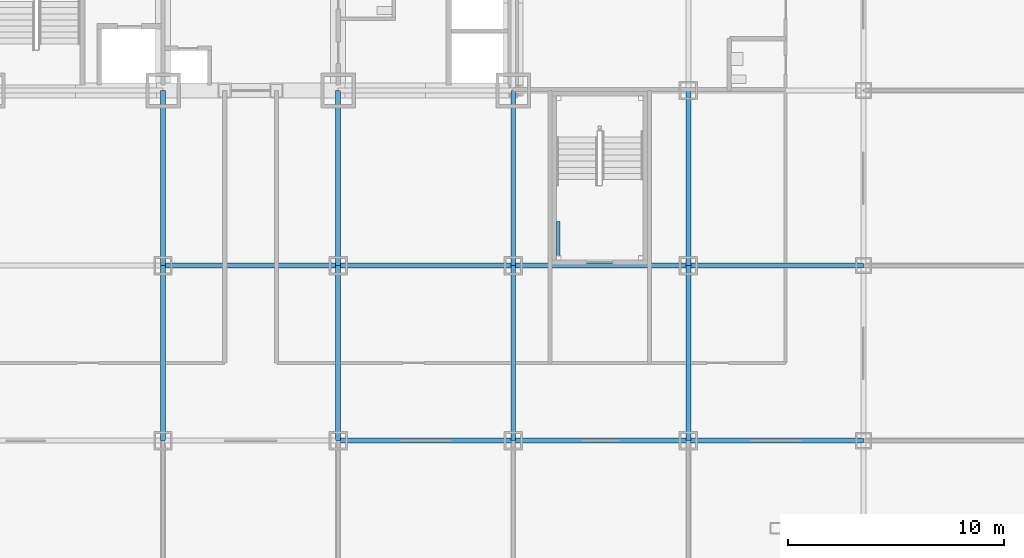
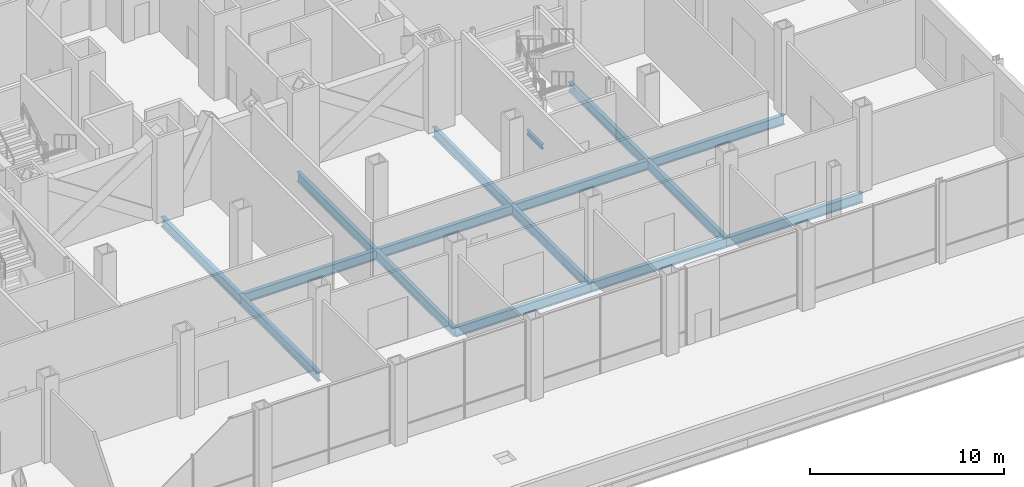
# One storey, part 12 of 29: 16 beams.
"""IFC4 building model written with IfcOpenShell, lengths in metres."""

from ifc_helpers import new_model, si_unit, direction, frame, origin, origin_2d, place, context, subcontext, project, spatial, i_section, extrude, material, material_profile, profile_set, type_object, element, save


model = new_model("IFC4")

# Units and contexts
model_context = context("Model", 3, precision=1e-05, world=origin(), true_north=direction((0.0, 1.0)))
body_context = subcontext(model_context, "Body", "Model", "MODEL_VIEW")
ifc_project = project(units=[si_unit("LENGTHUNIT", "METRE"), si_unit("AREAUNIT", "SQUARE_METRE"), si_unit("VOLUMEUNIT", "CUBIC_METRE"), si_unit("PLANEANGLEUNIT", "RADIAN"), si_unit("MASSUNIT", "GRAM", prefix="KILO")], contexts=[model_context])

# Site, building, storey
site_placement = place(None, origin())
site = spatial("IfcSite", under=ifc_project, at=site_placement, CompositionType="ELEMENT")
building_placement = place(site_placement, origin())
building = spatial("IfcBuilding", under=site, at=building_placement, Name="Kopane Lantern Tower", CompositionType="ELEMENT")
storey_placement = place(building_placement, frame((0.0, 0.0, 11.39990234375)))
storey = spatial("IfcBuildingStorey", under=building, at=storey_placement, Name="L02", CompositionType="ELEMENT", Elevation=11.39990234375)

# Beams
ifc_material_1 = material(Name="Steel S355JR", Category="steel")
ifc_material_profile_1 = material_profile(ifc_material_1, i_section(OverallWidth=0.22900390625, OverallDepth=0.6123046875, WebThickness=0.011962890625, FlangeThickness=0.01953125, FilletRadius=0.0126953125, at=origin_2d()), Name="UB 610x229x125")
ifc_profile_set_1 = profile_set([ifc_material_profile_1], Name="Steel S355JR")
beam_type_1 = type_object("IfcBeamType", Name="GIRDER UB 610x229x125", PredefinedType="BEAM", material=ifc_profile_set_1)
beam_1_placement = place(storey_placement, frame((24.300048828125, 8.10009765625, -0.555908203125), z_axis=(0.0, 1.0, 0.0), x_axis=(-1.0, 0.0, 0.0)))
element("IfcBeam", 1, at=beam_1_placement, inside=storey, type_object=beam_type_1, Name="Girder L02", PredefinedType="BEAM", context=body_context, shape_type="SweptSolid", body=[
    extrude(i_section(OverallWidth=0.22900390625, OverallDepth=0.6123046875, WebThickness=0.011962890625, FlangeThickness=0.01953125, FilletRadius=0.0126953125, at=origin_2d()), origin(), (0.0, 0.0, 1.0), 8.099853515625),
])
beam_2_placement = place(storey_placement, frame((24.300048828125, 16.199951171875, -0.555908203125), z_axis=(0.0, 1.0, 0.0), x_axis=(-1.0, 0.0, 0.0)))
element("IfcBeam", 2, at=beam_2_placement, inside=storey, type_object=beam_type_1, Name="Girder L02", PredefinedType="BEAM", context=body_context, shape_type="SweptSolid", body=[
    extrude(i_section(OverallWidth=0.22900390625, OverallDepth=0.6123046875, WebThickness=0.011962890625, FlangeThickness=0.01953125, FilletRadius=0.0126953125, at=origin_2d()), origin(), (0.0, 0.0, 1.0), 8.10009765625),
])
for number, where, z_axis, x_axis, name in (
    (3, (24.300048828125, 16.199951171875, -0.555908203125), (1.0, 0.0, 0.0), (0.0, 1.0, 0.0), "Girder L02"),
    (4, (32.39990234375, 8.10009765625, -0.555908203125), (0.0, 1.0, 0.0), (-1.0, 0.0, 0.0), "Girder L02"),
):
    element("IfcBeam", number, at=place(storey_placement, frame(where, z_axis=z_axis, x_axis=x_axis)), inside=storey, type_object=beam_type_1, Name=name, PredefinedType="BEAM", context=body_context, shape_type="SweptSolid", body=[
        extrude(i_section(OverallWidth=0.22900390625, OverallDepth=0.6123046875, WebThickness=0.011962890625, FlangeThickness=0.01953125, FilletRadius=0.0126953125, at=origin_2d()), origin(), (0.0, 0.0, 1.0), 8.099853515625),
    ])
for number, where, z_axis, x_axis, name in (
    (5, (32.39990234375, 8.10009765625, -0.555908203125), (1.0, 0.0, 0.0), (0.0, 1.0, 0.0), "Girder L02"),
    (6, (32.39990234375, 16.199951171875, -0.555908203125), (0.0, 1.0, 0.0), (-1.0, 0.0, 0.0), "Girder L02"),
    (7, (32.39990234375, 16.199951171875, -0.555908203125), (1.0, 0.0, 0.0), (0.0, 1.0, 0.0), "Girder L02"),
):
    element("IfcBeam", number, at=place(storey_placement, frame(where, z_axis=z_axis, x_axis=x_axis)), inside=storey, type_object=beam_type_1, Name=name, PredefinedType="BEAM", context=body_context, shape_type="SweptSolid", body=[
        extrude(i_section(OverallWidth=0.22900390625, OverallDepth=0.6123046875, WebThickness=0.011962890625, FlangeThickness=0.01953125, FilletRadius=0.0126953125, at=origin_2d()), origin(), (0.0, 0.0, 1.0), 8.10009765625),
    ])
beam_3_placement = place(storey_placement, frame((40.5, 8.10009765625, -0.555908203125), z_axis=(0.0, 1.0, 0.0), x_axis=(-1.0, 0.0, 0.0)))
element("IfcBeam", 8, at=beam_3_placement, inside=storey, type_object=beam_type_1, Name="Girder L02", PredefinedType="BEAM", context=body_context, shape_type="SweptSolid", body=[
    extrude(i_section(OverallWidth=0.22900390625, OverallDepth=0.6123046875, WebThickness=0.011962890625, FlangeThickness=0.01953125, FilletRadius=0.0126953125, at=origin_2d()), origin(), (0.0, 0.0, 1.0), 8.099853515625),
])
for number, where, z_axis, x_axis, name in (
    (9, (40.5, 8.10009765625, -0.555908203125), (1.0, 0.0, 0.0), (0.0, 1.0, 0.0), "Girder L02"),
    (10, (40.5, 16.199951171875, -0.555908203125), (0.0, 1.0, 0.0), (-1.0, 0.0, 0.0), "Girder L02"),
    (11, (40.5, 16.199951171875, -0.555908203125), (1.0, 0.0, 0.0), (0.0, 1.0, 0.0), "Girder L02"),
):
    element("IfcBeam", number, at=place(storey_placement, frame(where, z_axis=z_axis, x_axis=x_axis)), inside=storey, type_object=beam_type_1, Name=name, PredefinedType="BEAM", context=body_context, shape_type="SweptSolid", body=[
        extrude(i_section(OverallWidth=0.22900390625, OverallDepth=0.6123046875, WebThickness=0.011962890625, FlangeThickness=0.01953125, FilletRadius=0.0126953125, at=origin_2d()), origin(), (0.0, 0.0, 1.0), 8.10009765625),
    ])
for number, where, z_axis, x_axis, name in (
    (12, (48.60009765625, 8.10009765625, -0.555908203125), (0.0, 1.0, 0.0), (-1.0, 0.0, 0.0), "Girder L02"),
    (13, (48.60009765625, 8.10009765625, -0.555908203125), (1.0, 0.0, 0.0), (0.0, 1.0, 0.0), "Girder L02"),
):
    element("IfcBeam", number, at=place(storey_placement, frame(where, z_axis=z_axis, x_axis=x_axis)), inside=storey, type_object=beam_type_1, Name=name, PredefinedType="BEAM", context=body_context, shape_type="SweptSolid", body=[
        extrude(i_section(OverallWidth=0.22900390625, OverallDepth=0.6123046875, WebThickness=0.011962890625, FlangeThickness=0.01953125, FilletRadius=0.0126953125, at=origin_2d()), origin(), (0.0, 0.0, 1.0), 8.099853515625),
    ])
beam_4_placement = place(storey_placement, frame((48.60009765625, 16.199951171875, -0.555908203125), z_axis=(0.0, 1.0, 0.0), x_axis=(-1.0, 0.0, 0.0)))
element("IfcBeam", 14, at=beam_4_placement, inside=storey, type_object=beam_type_1, Name="Girder L02", PredefinedType="BEAM", context=body_context, shape_type="SweptSolid", body=[
    extrude(i_section(OverallWidth=0.22900390625, OverallDepth=0.6123046875, WebThickness=0.011962890625, FlangeThickness=0.01953125, FilletRadius=0.0126953125, at=origin_2d()), origin(), (0.0, 0.0, 1.0), 8.10009765625),
])
beam_5_placement = place(storey_placement, frame((48.60009765625, 16.199951171875, -0.555908203125), z_axis=(1.0, 0.0, 0.0), x_axis=(0.0, 1.0, 0.0)))
element("IfcBeam", 15, at=beam_5_placement, inside=storey, type_object=beam_type_1, Name="Girder L02", PredefinedType="BEAM", context=body_context, shape_type="SweptSolid", body=[
    extrude(i_section(OverallWidth=0.22900390625, OverallDepth=0.6123046875, WebThickness=0.011962890625, FlangeThickness=0.01953125, FilletRadius=0.0126953125, at=origin_2d()), origin(), (0.0, 0.0, 1.0), 8.099853515625),
])
ifc_material_2 = material(Name="Steel S355JR", Category="steel")
ifc_material_profile_2 = material_profile(ifc_material_2, i_section(OverallWidth=0.1650390625, OverallDepth=0.303466796875, WebThickness=0.006103515625, FlangeThickness=0.01025390625, FilletRadius=0.0087890625, at=origin_2d()), Name="UB 305x165x40")
ifc_profile_set_2 = profile_set([ifc_material_profile_2], Name="Steel S355JR")
beam_type_2 = type_object("IfcBeamType", Name="STAIR LANDING BEAM UB 305x165x40", PredefinedType="BEAM", material=ifc_profile_set_2)
beam_6_placement = place(storey_placement, frame((42.58251953125, 16.64990234375, 2.348388671875), z_axis=(0.0, 1.0, 0.0), x_axis=(-1.0, 0.0, 0.0)))
element("IfcBeam", 16, at=beam_6_placement, inside=storey, type_object=beam_type_2, Name="Stair landing beam ST4 L02", PredefinedType="BEAM", context=body_context, shape_type="SweptSolid", body=[
    extrude(i_section(OverallWidth=0.1650390625, OverallDepth=0.303466796875, WebThickness=0.006103515625, FlangeThickness=0.01025390625, FilletRadius=0.0087890625, at=origin_2d()), origin(), (0.0, 0.0, 1.0), 1.60009765625),
])

save(model, "model.ifc")
